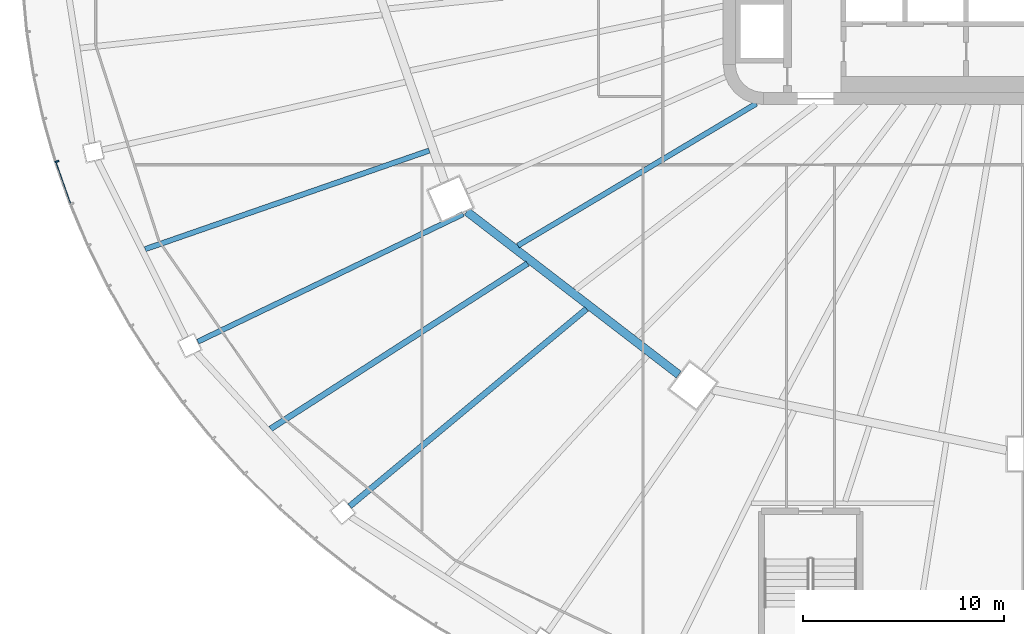
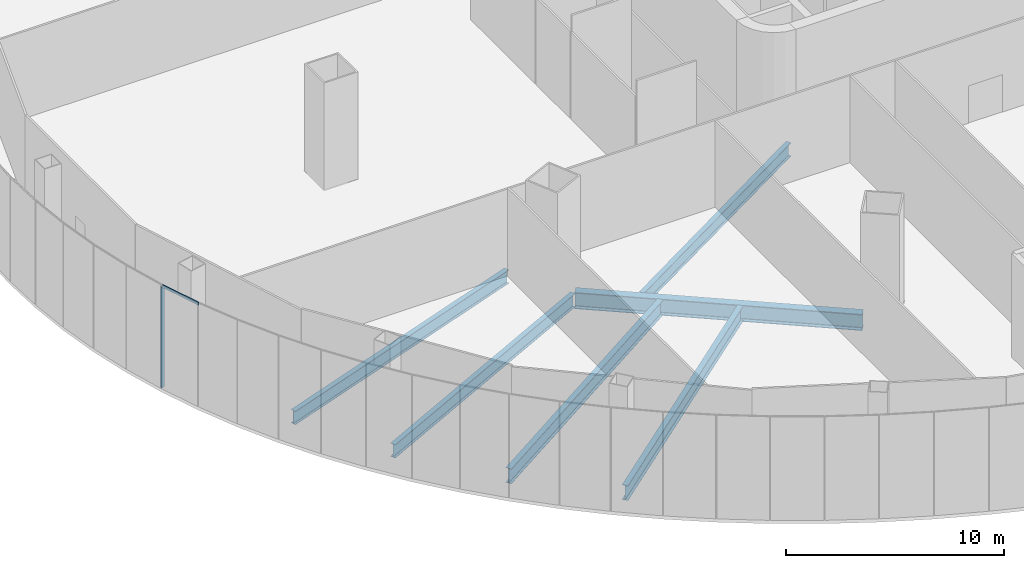
# One storey, part 3 of 37: 6 beams, 2 members, 1 element without a shape of its own.
"""IFC4 building model written with IfcOpenShell, lengths in metres."""

import ifcopenshell
import ifcopenshell.guid

model = None  # the IFC model being written
_history = None  # IfcOwnerHistory: only IFC2X3 demands one
_inside = {}  # id of a spatial element -> (the spatial element, [elements in it])
_under = {}  # id of a project, library or spatial element -> (it, [spatial elements below it])
_declared = {}  # id of a project -> (the project, [libraries it declares])
_typed = {}  # id of a type object -> (the type object, [elements of that type])
_made_of = {}  # id of a material, layer set ... -> (it, [elements and type objects made of it])


def new_model(schema):
    """Start an empty IFC model of exactly this schema.

    Asked for "IFC4X3", IfcOpenShell would pick the latest addendum, in which some entities
    have other attributes; the version numbers below select the first issue.
    IFC2X3 requires an IfcOwnerHistory on every rooted entity: one is made here for all.
    """
    global model, _history
    if schema == "IFC4X3":
        model = ifcopenshell.file(schema_version=(4, 3, 0, 0))
    else:
        model = ifcopenshell.file(schema=schema)
    _inside.clear()
    _under.clear()
    _declared.clear()
    _typed.clear()
    _made_of.clear()
    _history = None
    if model.schema == "IFC2X3":
        org = make("IfcOrganization", Name="unknown")
        user = make(
            "IfcPersonAndOrganization",
            ThePerson=make("IfcPerson", FamilyName="unknown"),
            TheOrganization=org,
        )
        app = make(
            "IfcApplication",
            ApplicationDeveloper=org,
            Version="unknown",
            ApplicationFullName="unknown",
            ApplicationIdentifier="unknown",
        )
        _history = make(
            "IfcOwnerHistory",
            OwningUser=user,
            OwningApplication=app,
            ChangeAction="ADDED",
            CreationDate=0,
        )
    return model


def make(cls, **values):
    """One entity of the class cls with the attributes given. An attribute that is None is left unset."""
    return model.create_entity(
        cls, **{name: value for name, value in values.items() if value is not None}
    )


def rooted(cls, **values):
    """An entity with a GlobalId (a new one), such as an element, a storey or a relation."""
    return make(cls, GlobalId=ifcopenshell.guid.new(), OwnerHistory=_history, **values)


def si_unit(unit_type, name, prefix=None):
    """IfcSIUnit, for example si_unit("LENGTHUNIT", "METRE", prefix="MILLI")."""
    return make("IfcSIUnit", UnitType=unit_type, Prefix=prefix, Name=name)


def assignment(units):
    """IfcUnitAssignment: the units of a project."""
    return None if units is None else make("IfcUnitAssignment", Units=units)


def point(xyz):
    """IfcCartesianPoint."""
    return None if xyz is None else make("IfcCartesianPoint", Coordinates=xyz)


def direction(xyz):
    """IfcDirection."""
    return None if xyz is None else make("IfcDirection", DirectionRatios=xyz)


def frame(location, z_axis=None, x_axis=None):
    """IfcAxis2Placement3D, a coordinate frame: its origin and axes. An axis left out is left unset."""
    return make(
        "IfcAxis2Placement3D",
        Location=point(location),
        Axis=direction(z_axis),
        RefDirection=direction(x_axis),
    )


def frame_2d(location, x_axis=None):
    """IfcAxis2Placement2D, a coordinate frame in the plane: its origin and x axis."""
    return make(
        "IfcAxis2Placement2D", Location=point(location), RefDirection=direction(x_axis)
    )


def origin():
    """The frame at (0, 0, 0) with its axes left unset."""
    return frame((0.0, 0.0, 0.0))


def origin_2d():
    """The frame at (0, 0) in the plane with its x axis left unset."""
    return frame_2d((0.0, 0.0))


def place(relative_to, where):
    """IfcLocalPlacement: puts the frame where relative to a parent placement (None: the world)."""
    return make(
        "IfcLocalPlacement", PlacementRelTo=relative_to, RelativePlacement=where
    )


def context(
    kind, dimensions, precision=None, world=None, true_north=None, identifier=None
):
    """IfcGeometricRepresentationContext, for example the 3D "Model" context."""
    return make(
        "IfcGeometricRepresentationContext",
        ContextIdentifier=identifier,
        ContextType=kind,
        CoordinateSpaceDimension=dimensions,
        Precision=precision,
        WorldCoordinateSystem=world,
        TrueNorth=true_north,
    )


def subcontext(parent, identifier, kind, view, scale=None):
    """IfcGeometricRepresentationSubContext, for example "Body" below "Model"."""
    return make(
        "IfcGeometricRepresentationSubContext",
        ContextIdentifier=identifier,
        ContextType=kind,
        ParentContext=parent,
        TargetScale=scale,
        TargetView=view,
    )


def project(units=None, contexts=None):
    """IfcProject with its units and contexts."""
    return rooted(
        "IfcProject",
        Name="project",
        RepresentationContexts=contexts,
        UnitsInContext=assignment(units),
    )


def spatial(cls, under=None, at=None, **own):
    """A site, building, storey or space (cls), placed at a placement, below another one or the project."""
    s = rooted(cls, ObjectPlacement=at, **own)
    if under is not None:
        _under.setdefault(under.id(), (under, []))[1].append(s)
    return s


def profile(cls, at=None, kind="AREA", **sizes):
    """A parametric profile (cls). Its sizes go by their IFC names, for example OverallWidth=200.0."""
    return make(cls, ProfileType=kind, Position=at, **sizes)


def rectangle(**sizes):
    """IfcRectangleProfileDef."""
    return profile("IfcRectangleProfileDef", **sizes)


def i_section(**sizes):
    """IfcIShapeProfileDef."""
    return profile("IfcIShapeProfileDef", **sizes)


def extrude(swept, where, along, depth):
    """IfcExtrudedAreaSolid: the profile swept, set in the frame where, extruded along a direction by depth."""
    return make(
        "IfcExtrudedAreaSolid",
        SweptArea=swept,
        Position=where,
        ExtrudedDirection=direction(along),
        Depth=depth,
    )


def shape(context_of_items, identifier, shape_type, items):
    """IfcShapeRepresentation: the items that make up one representation, for example the "Body"."""
    return make(
        "IfcShapeRepresentation",
        ContextOfItems=context_of_items,
        RepresentationIdentifier=identifier,
        RepresentationType=shape_type,
        Items=items,
    )


def material(Name=None, Category=None):
    """IfcMaterial."""
    return make("IfcMaterial", Name=Name, Category=Category)


def layer(
    of_material, thickness, ventilated=None, Name=None, Category=None, Priority=None
):
    """IfcMaterialLayer: one layer of a wall or slab, of a material (None: an air gap)."""
    return make(
        "IfcMaterialLayer",
        Material=of_material,
        LayerThickness=thickness,
        IsVentilated=ventilated,
        Name=Name,
        Category=Category,
        Priority=Priority,
    )


def layer_set(layers, Name=None):
    """IfcMaterialLayerSet."""
    return make("IfcMaterialLayerSet", MaterialLayers=layers, LayerSetName=Name)


def material_profile(
    of_material, cross_section, Name=None, Category=None, Priority=None
):
    """IfcMaterialProfile: a cross section and its material."""
    return make(
        "IfcMaterialProfile",
        Name=Name,
        Material=of_material,
        Profile=cross_section,
        Priority=Priority,
        Category=Category,
    )


def profile_set(profiles, Name=None, composite=None):
    """IfcMaterialProfileSet."""
    return make(
        "IfcMaterialProfileSet",
        Name=Name,
        MaterialProfiles=profiles,
        CompositeProfile=composite,
    )


def made_of(thing, what):
    """Note that an element or type object is made of a material, layer set ...; save() writes the relation."""
    if what is not None:
        _made_of.setdefault(what.id(), (what, []))[1].append(thing)
    return thing


def type_object(cls, material=None, **own):
    """A type object (cls), such as IfcWallType, which elements share."""
    return made_of(rooted(cls, **own), material)


def element(
    cls,
    number,
    at=None,
    inside=None,
    cuts=None,
    type_object=None,
    material=None,
    context=None,
    identifier="Body",
    shape_type=None,
    held_by="IfcProductDefinitionShape",
    body=None,
    shapes=None,
    **own,
):
    """One element of the class cls, such as IfcWall. Its Tag is "e" and its number.

    at: its placement. inside: the storey or other place that contains it. cuts: it is an
    opening in that element (IfcRelVoidsElement). A single representation is given by context,
    identifier, shape_type and body (its items); several are given by shapes. held_by: the class
    of the entity that holds the representations. save() writes the other relations.
    """
    e = rooted(cls, Tag="e%d" % number, ObjectPlacement=at, **own)
    if body is not None:
        shapes = [shape(context, identifier, shape_type, body)]
    if shapes is not None:
        e.Representation = make(held_by, Representations=shapes)
    if inside is not None:
        _inside.setdefault(inside.id(), (inside, []))[1].append(e)
    if cuts is not None:
        rooted(
            "IfcRelVoidsElement", RelatingBuildingElement=cuts, RelatedOpeningElement=e
        )
    if type_object is not None:
        _typed.setdefault(type_object.id(), (type_object, []))[1].append(e)
    return made_of(e, material)


def aggregate(whole, parts):
    """IfcRelAggregates: a whole, such as a stair, and the parts it consists of."""
    return rooted("IfcRelAggregates", RelatingObject=whole, RelatedObjects=parts)


def save(model, path):
    """Write the relations noted so far, then the file.

    IfcRelAggregates (storeys below a building ...), IfcRelContainedInSpatialStructure (elements
    in a storey), IfcRelDefinesByType, IfcRelAssociatesMaterial and IfcRelDeclares: one each for
    every whole, place, type object, material and project.
    """
    for whole, parts in _under.values():
        aggregate(whole, parts)
    for where, things in _inside.values():
        rooted(
            "IfcRelContainedInSpatialStructure",
            RelatedElements=things,
            RelatingStructure=where,
        )
    for kind, things in _typed.values():
        rooted("IfcRelDefinesByType", RelatedObjects=things, RelatingType=kind)
    for what, things in _made_of.values():
        rooted("IfcRelAssociatesMaterial", RelatedObjects=things, RelatingMaterial=what)
    for by, libraries in _declared.values():
        rooted("IfcRelDeclares", RelatingContext=by, RelatedDefinitions=libraries)
    model.write(path)


model = new_model("IFC4")

# Units and contexts
model_context = context("Model", 3, precision=1e-05, world=origin(), true_north=direction((0.0, 1.0)))
body_context = subcontext(model_context, "Body", "Model", "MODEL_VIEW")
ifc_project = project(units=[si_unit("LENGTHUNIT", "METRE"), si_unit("AREAUNIT", "SQUARE_METRE"), si_unit("VOLUMEUNIT", "CUBIC_METRE"), si_unit("PLANEANGLEUNIT", "RADIAN"), si_unit("MASSUNIT", "GRAM", prefix="KILO")], contexts=[model_context])

# Site, building, storey
site_placement = place(None, origin())
site = spatial("IfcSite", under=ifc_project, at=site_placement, CompositionType="ELEMENT")
building_placement = place(site_placement, origin())
building = spatial("IfcBuilding", under=site, at=building_placement, Name="Sahrelin Media Tower", CompositionType="ELEMENT")
storey_placement = place(building_placement, frame((0.0, 0.0, 31.39990234375)))
storey = spatial("IfcBuildingStorey", under=building, at=storey_placement, Name="L04", CompositionType="ELEMENT", Elevation=31.39990234375)

# Curtain wall, member
ifc_material_1 = material(Name="Champagne anodised aluminium 6063-T6", Category="aluminium")
ifc_layer = layer(ifc_material_1, 0.14990234375)
ifc_layer_set = layer_set([ifc_layer], Name="Podium ribbon curtain wall")
curtain_wall_type = type_object("IfcCurtainWallType", Name="Podium ribbon curtain wall", PredefinedType="NOTDEFINED", material=ifc_layer_set)
curtain_wall_placement = place(storey_placement, frame((-48.29638671875, -10.870361328125, 0.0), z_axis=(0.0, 0.0, 1.0), x_axis=(1.0, 0.0, 0.0)))
curtain_wall = element("IfcCurtainWall", 1, at=curtain_wall_placement, inside=storey, type_object=curtain_wall_type, Name="L04:CW:L04-P13", PredefinedType="NOTDEFINED")
ifc_material_profile_1 = material_profile(ifc_material_1, rectangle(XDim=0.080078125, YDim=0.199951171875, at=origin_2d()), Name="Mullion 80x200")
ifc_profile_set_1 = profile_set([ifc_material_profile_1], Name="Champagne anodised aluminium 6063-T6")
member_type_1 = type_object("IfcMemberType", Name="Mullion 80x200 CW5", PredefinedType="MULLION", material=ifc_profile_set_1)
member_1_placement = place(storey_placement, frame((-48.18310546875, -10.83056640625, 0.0), z_axis=(0.0, 0.0, 1.0), x_axis=(0.332579242691, -0.943075313711, 0.0)))
member_1 = element("IfcMember", 2, at=member_1_placement, type_object=member_type_1, Name="L04:CWM1:L04-P13", PredefinedType="MULLION", context=body_context, shape_type="SweptSolid", body=[
    extrude(rectangle(XDim=0.080078125, YDim=0.199951171875, at=origin_2d()), origin(), (0.0, 0.0, 1.0), 5.650146484375),
])

# Beams
ifc_material_2 = material(Name="Steel S355", Category="steel")
ifc_material_profile_2 = material_profile(ifc_material_2, i_section(OverallWidth=0.41845703125, OverallDepth=0.911865234375, WebThickness=0.019287109375, FlangeThickness=0.031982421875, FilletRadius=0.024169921875, at=origin_2d()), Name="UB 914x419x343")
ifc_profile_set_2 = profile_set([ifc_material_profile_2], Name="Steel S355")
beam_type_1 = type_object("IfcBeamType", Name="Podium ring girder PG12", PredefinedType="BEAM", material=ifc_profile_set_2)
beam_1_placement = place(storey_placement, frame((-27.767578125, -13.324462890625, -0.65576171875), z_axis=(0.792445416108, -0.609942835428, 0.0), x_axis=(0.609942835428, 0.792445416108, 0.0)))
element("IfcBeam", 3, at=beam_1_placement, inside=storey, type_object=beam_type_1, Name="Podium girder L04-08", PredefinedType="BEAM", context=body_context, shape_type="SweptSolid", body=[
    extrude(i_section(OverallWidth=0.41845703125, OverallDepth=0.911865234375, WebThickness=0.019287109375, FlangeThickness=0.031982421875, FilletRadius=0.024169921875, at=origin_2d()), origin(), (0.0, 0.0, 1.0), 13.318603515625),
])
ifc_material_profile_3 = material_profile(ifc_material_2, i_section(OverallWidth=0.291748046875, OverallDepth=0.8349609375, WebThickness=0.013916015625, FlangeThickness=0.018798828125, FilletRadius=0.017822265625, at=origin_2d()), Name="UB 838x292x176")
ifc_profile_set_3 = profile_set([ifc_material_profile_3], Name="Steel S355")
beam_type_2 = type_object("IfcBeamType", Name="Radial primary beam PB10", PredefinedType="BEAM", material=ifc_profile_set_3)
beam_2_placement = place(storey_placement, frame((-21.809326171875, -18.174560546875, -0.6171875), z_axis=(-0.768229105739, -0.640175008178, 0.0), x_axis=(0.640175008178, -0.768229105739, 0.0)))
element("IfcBeam", 4, at=beam_2_placement, inside=storey, type_object=beam_type_2, Name="Radial beam L04-18", PredefinedType="BEAM", context=body_context, shape_type="SweptSolid", body=[
    extrude(i_section(OverallWidth=0.291748046875, OverallDepth=0.8349609375, WebThickness=0.013916015625, FlangeThickness=0.018798828125, FilletRadius=0.017822265625, at=origin_2d()), origin(), (0.0, 0.0, 1.0), 15.342041015625),
])
ifc_material_profile_4 = material_profile(ifc_material_2, i_section(OverallWidth=0.26513671875, OverallDepth=0.75390625, WebThickness=0.0126953125, FlangeThickness=0.017578125, FilletRadius=0.0166015625, at=origin_2d()), Name="UB 762x267x147")
ifc_profile_set_4 = profile_set([ifc_material_profile_4], Name="Steel S355")
beam_type_3 = type_object("IfcBeamType", Name="Radial primary beam PB9", PredefinedType="BEAM", material=ifc_profile_set_4)
beam_3_placement = place(storey_placement, frame((-27.950439453125, -13.44775390625, -0.576904296875), z_axis=(-0.901130102072, -0.433548773657, 0.0), x_axis=(0.433548773657, -0.901130102072, 0.0)))
element("IfcBeam", 5, at=beam_3_placement, inside=storey, type_object=beam_type_3, Name="Radial beam L04-17", PredefinedType="BEAM", context=body_context, shape_type="SweptSolid", body=[
    extrude(i_section(OverallWidth=0.26513671875, OverallDepth=0.75390625, WebThickness=0.0126953125, FlangeThickness=0.017578125, FilletRadius=0.0166015625, at=origin_2d()), origin(), (0.0, 0.0, 1.0), 14.6630859375),
])
ifc_material_profile_5 = material_profile(ifc_material_2, i_section(OverallWidth=0.291748046875, OverallDepth=0.8349609375, WebThickness=0.013916015625, FlangeThickness=0.018798828125, FilletRadius=0.017822265625, at=origin_2d()), Name="UB 838x292x176")
ifc_profile_set_5 = profile_set([ifc_material_profile_5], Name="Steel S355")
beam_type_4 = type_object("IfcBeamType", Name="Radial secondary beam SB10", PredefinedType="BEAM", material=ifc_profile_set_5)
beam_4_placement = place(storey_placement, frame((-24.744140625, -15.91552734375, -0.6171875), z_axis=(-0.84104292767, -0.540968385228, 0.0), x_axis=(0.540968385228, -0.84104292767, 0.0)))
element("IfcBeam", 6, at=beam_4_placement, inside=storey, type_object=beam_type_4, Name="Secondary beam L04-15", PredefinedType="BEAM", context=body_context, shape_type="SweptSolid", body=[
    extrude(i_section(OverallWidth=0.291748046875, OverallDepth=0.8349609375, WebThickness=0.013916015625, FlangeThickness=0.018798828125, FilletRadius=0.017822265625, at=origin_2d()), origin(), (0.0, 0.0, 1.0), 15.218505859375),
])
ifc_material_profile_6 = material_profile(ifc_material_2, i_section(OverallWidth=0.26513671875, OverallDepth=0.75390625, WebThickness=0.0126953125, FlangeThickness=0.017578125, FilletRadius=0.0166015625, at=origin_2d()), Name="UB 762x267x147")
ifc_profile_set_6 = profile_set([ifc_material_profile_6], Name="Steel S355")
beam_type_5 = type_object("IfcBeamType", Name="Radial secondary beam SB9", PredefinedType="BEAM", material=ifc_profile_set_6)
beam_5_placement = place(storey_placement, frame((-13.356201171875, -7.953125, -0.576904296875), z_axis=(-0.859199265621, -0.511641106594, 0.0), x_axis=(0.511641106594, -0.859199265621, 0.0)))
element("IfcBeam", 7, at=beam_5_placement, inside=storey, type_object=beam_type_5, Name="Secondary beam L04-15", PredefinedType="BEAM", context=body_context, shape_type="SweptSolid", body=[
    extrude(i_section(OverallWidth=0.26513671875, OverallDepth=0.75390625, WebThickness=0.0126953125, FlangeThickness=0.017578125, FilletRadius=0.0166015625, at=origin_2d()), origin(), (0.0, 0.0, 1.0), 13.810791015625),
])
beam_6_placement = place(storey_placement, frame((-29.640380859375, -10.287109375, -0.576904296875), z_axis=(-0.944713020182, -0.32789832189, 0.0), x_axis=(0.32789832189, -0.944713020182, 0.0)))
element("IfcBeam", 8, at=beam_6_placement, inside=storey, type_object=beam_type_5, Name="Secondary beam L04-14", PredefinedType="BEAM", context=body_context, shape_type="SweptSolid", body=[
    extrude(i_section(OverallWidth=0.26513671875, OverallDepth=0.75390625, WebThickness=0.0126953125, FlangeThickness=0.017578125, FilletRadius=0.0166015625, at=origin_2d()), origin(), (0.0, 0.0, 1.0), 14.974609375),
])

# Member
ifc_material_profile_7 = material_profile(ifc_material_1, rectangle(XDim=0.06005859375, YDim=0.14990234375, at=origin_2d()), Name="Transom 60x150")
ifc_profile_set_7 = profile_set([ifc_material_profile_7], Name="Champagne anodised aluminium 6063-T6")
member_type_2 = type_object("IfcMemberType", Name="Transom 60x150 CW5", PredefinedType="USERDEFINED", material=ifc_profile_set_7)
member_2_placement = place(storey_placement, frame((-48.232421875, -10.90087890625, 5.72509765625), z_axis=(0.332533804203, -0.943091336543, 0.0), x_axis=(0.943091336543, 0.332533804203, 0.0)))
member_2 = element("IfcMember", 9, at=member_2_placement, type_object=member_type_2, Name="L04:CWT1a:L04-P13", ObjectType="TRANSOM", PredefinedType="USERDEFINED", context=body_context, shape_type="SweptSolid", body=[
    extrude(rectangle(XDim=0.06005859375, YDim=0.14990234375, at=origin_2d()), origin(), (0.0, 0.0, 1.0), 2.185546875),
])

aggregate(curtain_wall, [member_1, member_2])

save(model, "model.ifc")
